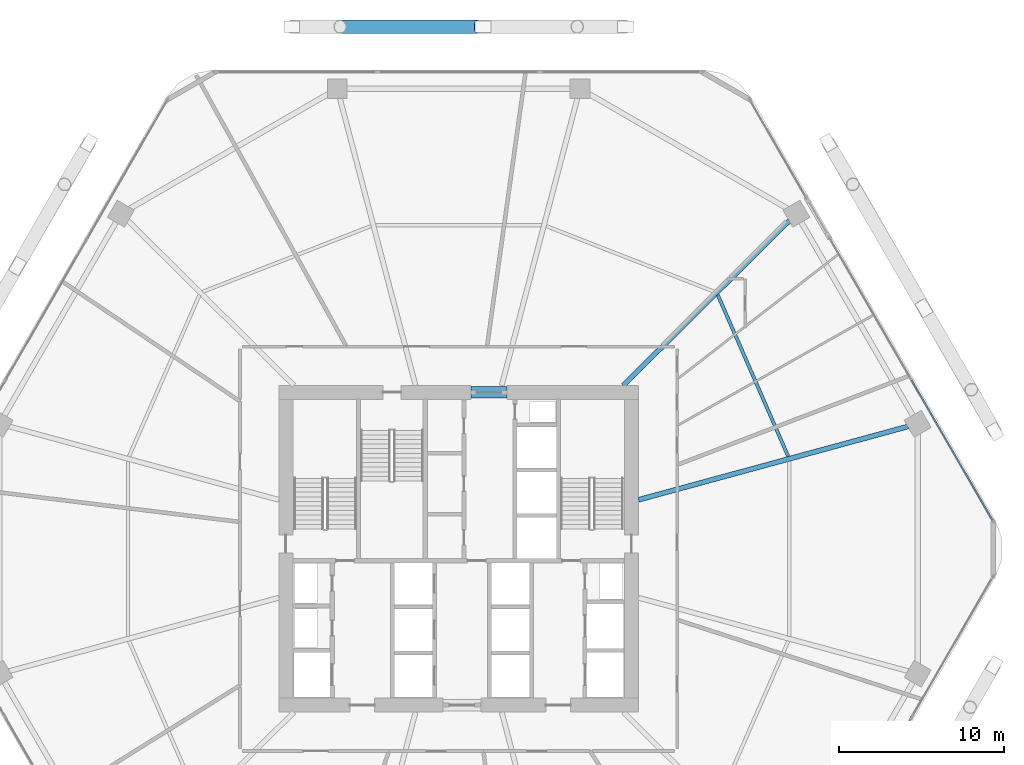
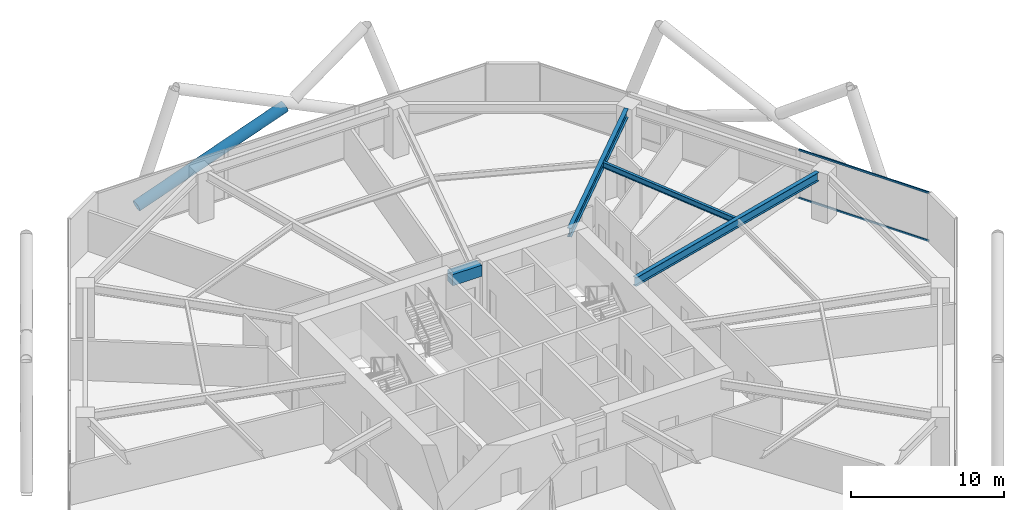
# One storey, part 18 of 28: 4 beams, 3 members, 1 element without a shape of its own.
"""IFC4 building model written with IfcOpenShell, lengths in metres."""

import ifcopenshell
import ifcopenshell.guid

model = None  # the IFC model being written
_history = None  # IfcOwnerHistory: only IFC2X3 demands one
_inside = {}  # id of a spatial element -> (the spatial element, [elements in it])
_under = {}  # id of a project, library or spatial element -> (it, [spatial elements below it])
_declared = {}  # id of a project -> (the project, [libraries it declares])
_typed = {}  # id of a type object -> (the type object, [elements of that type])
_made_of = {}  # id of a material, layer set ... -> (it, [elements and type objects made of it])


def new_model(schema):
    """Start an empty IFC model of exactly this schema.

    Asked for "IFC4X3", IfcOpenShell would pick the latest addendum, in which some entities
    have other attributes; the version numbers below select the first issue.
    IFC2X3 requires an IfcOwnerHistory on every rooted entity: one is made here for all.
    """
    global model, _history
    if schema == "IFC4X3":
        model = ifcopenshell.file(schema_version=(4, 3, 0, 0))
    else:
        model = ifcopenshell.file(schema=schema)
    _inside.clear()
    _under.clear()
    _declared.clear()
    _typed.clear()
    _made_of.clear()
    _history = None
    if model.schema == "IFC2X3":
        org = make("IfcOrganization", Name="unknown")
        user = make(
            "IfcPersonAndOrganization",
            ThePerson=make("IfcPerson", FamilyName="unknown"),
            TheOrganization=org,
        )
        app = make(
            "IfcApplication",
            ApplicationDeveloper=org,
            Version="unknown",
            ApplicationFullName="unknown",
            ApplicationIdentifier="unknown",
        )
        _history = make(
            "IfcOwnerHistory",
            OwningUser=user,
            OwningApplication=app,
            ChangeAction="ADDED",
            CreationDate=0,
        )
    return model


def make(cls, **values):
    """One entity of the class cls with the attributes given. An attribute that is None is left unset."""
    return model.create_entity(
        cls, **{name: value for name, value in values.items() if value is not None}
    )


def rooted(cls, **values):
    """An entity with a GlobalId (a new one), such as an element, a storey or a relation."""
    return make(cls, GlobalId=ifcopenshell.guid.new(), OwnerHistory=_history, **values)


def si_unit(unit_type, name, prefix=None):
    """IfcSIUnit, for example si_unit("LENGTHUNIT", "METRE", prefix="MILLI")."""
    return make("IfcSIUnit", UnitType=unit_type, Prefix=prefix, Name=name)


def assignment(units):
    """IfcUnitAssignment: the units of a project."""
    return None if units is None else make("IfcUnitAssignment", Units=units)


def point(xyz):
    """IfcCartesianPoint."""
    return None if xyz is None else make("IfcCartesianPoint", Coordinates=xyz)


def direction(xyz):
    """IfcDirection."""
    return None if xyz is None else make("IfcDirection", DirectionRatios=xyz)


def frame(location, z_axis=None, x_axis=None):
    """IfcAxis2Placement3D, a coordinate frame: its origin and axes. An axis left out is left unset."""
    return make(
        "IfcAxis2Placement3D",
        Location=point(location),
        Axis=direction(z_axis),
        RefDirection=direction(x_axis),
    )


def frame_2d(location, x_axis=None):
    """IfcAxis2Placement2D, a coordinate frame in the plane: its origin and x axis."""
    return make(
        "IfcAxis2Placement2D", Location=point(location), RefDirection=direction(x_axis)
    )


def origin():
    """The frame at (0, 0, 0) with its axes left unset."""
    return frame((0.0, 0.0, 0.0))


def origin_2d():
    """The frame at (0, 0) in the plane with its x axis left unset."""
    return frame_2d((0.0, 0.0))


def place(relative_to, where):
    """IfcLocalPlacement: puts the frame where relative to a parent placement (None: the world)."""
    return make(
        "IfcLocalPlacement", PlacementRelTo=relative_to, RelativePlacement=where
    )


def context(
    kind, dimensions, precision=None, world=None, true_north=None, identifier=None
):
    """IfcGeometricRepresentationContext, for example the 3D "Model" context."""
    return make(
        "IfcGeometricRepresentationContext",
        ContextIdentifier=identifier,
        ContextType=kind,
        CoordinateSpaceDimension=dimensions,
        Precision=precision,
        WorldCoordinateSystem=world,
        TrueNorth=true_north,
    )


def subcontext(parent, identifier, kind, view, scale=None):
    """IfcGeometricRepresentationSubContext, for example "Body" below "Model"."""
    return make(
        "IfcGeometricRepresentationSubContext",
        ContextIdentifier=identifier,
        ContextType=kind,
        ParentContext=parent,
        TargetScale=scale,
        TargetView=view,
    )


def project(units=None, contexts=None):
    """IfcProject with its units and contexts."""
    return rooted(
        "IfcProject",
        Name="project",
        RepresentationContexts=contexts,
        UnitsInContext=assignment(units),
    )


def spatial(cls, under=None, at=None, **own):
    """A site, building, storey or space (cls), placed at a placement, below another one or the project."""
    s = rooted(cls, ObjectPlacement=at, **own)
    if under is not None:
        _under.setdefault(under.id(), (under, []))[1].append(s)
    return s


def profile(cls, at=None, kind="AREA", **sizes):
    """A parametric profile (cls). Its sizes go by their IFC names, for example OverallWidth=200.0."""
    return make(cls, ProfileType=kind, Position=at, **sizes)


def rectangle(**sizes):
    """IfcRectangleProfileDef."""
    return profile("IfcRectangleProfileDef", **sizes)


def hollow_rectangle(**sizes):
    """IfcRectangleHollowProfileDef."""
    return profile("IfcRectangleHollowProfileDef", **sizes)


def hollow_circle(**sizes):
    """IfcCircleHollowProfileDef."""
    return profile("IfcCircleHollowProfileDef", **sizes)


def i_section(**sizes):
    """IfcIShapeProfileDef."""
    return profile("IfcIShapeProfileDef", **sizes)


def extrude(swept, where, along, depth):
    """IfcExtrudedAreaSolid: the profile swept, set in the frame where, extruded along a direction by depth."""
    return make(
        "IfcExtrudedAreaSolid",
        SweptArea=swept,
        Position=where,
        ExtrudedDirection=direction(along),
        Depth=depth,
    )


def shape(context_of_items, identifier, shape_type, items):
    """IfcShapeRepresentation: the items that make up one representation, for example the "Body"."""
    return make(
        "IfcShapeRepresentation",
        ContextOfItems=context_of_items,
        RepresentationIdentifier=identifier,
        RepresentationType=shape_type,
        Items=items,
    )


def material(Name=None, Category=None):
    """IfcMaterial."""
    return make("IfcMaterial", Name=Name, Category=Category)


def material_profile(
    of_material, cross_section, Name=None, Category=None, Priority=None
):
    """IfcMaterialProfile: a cross section and its material."""
    return make(
        "IfcMaterialProfile",
        Name=Name,
        Material=of_material,
        Profile=cross_section,
        Priority=Priority,
        Category=Category,
    )


def profile_set(profiles, Name=None, composite=None):
    """IfcMaterialProfileSet."""
    return make(
        "IfcMaterialProfileSet",
        Name=Name,
        MaterialProfiles=profiles,
        CompositeProfile=composite,
    )


def made_of(thing, what):
    """Note that an element or type object is made of a material, layer set ...; save() writes the relation."""
    if what is not None:
        _made_of.setdefault(what.id(), (what, []))[1].append(thing)
    return thing


def type_object(cls, material=None, **own):
    """A type object (cls), such as IfcWallType, which elements share."""
    return made_of(rooted(cls, **own), material)


def element(
    cls,
    number,
    at=None,
    inside=None,
    cuts=None,
    type_object=None,
    material=None,
    context=None,
    identifier="Body",
    shape_type=None,
    held_by="IfcProductDefinitionShape",
    body=None,
    shapes=None,
    **own,
):
    """One element of the class cls, such as IfcWall. Its Tag is "e" and its number.

    at: its placement. inside: the storey or other place that contains it. cuts: it is an
    opening in that element (IfcRelVoidsElement). A single representation is given by context,
    identifier, shape_type and body (its items); several are given by shapes. held_by: the class
    of the entity that holds the representations. save() writes the other relations.
    """
    e = rooted(cls, Tag="e%d" % number, ObjectPlacement=at, **own)
    if body is not None:
        shapes = [shape(context, identifier, shape_type, body)]
    if shapes is not None:
        e.Representation = make(held_by, Representations=shapes)
    if inside is not None:
        _inside.setdefault(inside.id(), (inside, []))[1].append(e)
    if cuts is not None:
        rooted(
            "IfcRelVoidsElement", RelatingBuildingElement=cuts, RelatedOpeningElement=e
        )
    if type_object is not None:
        _typed.setdefault(type_object.id(), (type_object, []))[1].append(e)
    return made_of(e, material)


def aggregate(whole, parts):
    """IfcRelAggregates: a whole, such as a stair, and the parts it consists of."""
    return rooted("IfcRelAggregates", RelatingObject=whole, RelatedObjects=parts)


def save(model, path):
    """Write the relations noted so far, then the file.

    IfcRelAggregates (storeys below a building ...), IfcRelContainedInSpatialStructure (elements
    in a storey), IfcRelDefinesByType, IfcRelAssociatesMaterial and IfcRelDeclares: one each for
    every whole, place, type object, material and project.
    """
    for whole, parts in _under.values():
        aggregate(whole, parts)
    for where, things in _inside.values():
        rooted(
            "IfcRelContainedInSpatialStructure",
            RelatedElements=things,
            RelatingStructure=where,
        )
    for kind, things in _typed.values():
        rooted("IfcRelDefinesByType", RelatedObjects=things, RelatingType=kind)
    for what, things in _made_of.values():
        rooted("IfcRelAssociatesMaterial", RelatedObjects=things, RelatingMaterial=what)
    for by, libraries in _declared.values():
        rooted("IfcRelDeclares", RelatingContext=by, RelatedDefinitions=libraries)
    model.write(path)


model = new_model("IFC4")

# Units and contexts
model_context = context("Model", 3, precision=1e-05, world=origin(), true_north=direction((0.0, 1.0)))
body_context = subcontext(model_context, "Body", "Model", "MODEL_VIEW")
ifc_project = project(units=[si_unit("LENGTHUNIT", "METRE"), si_unit("AREAUNIT", "SQUARE_METRE"), si_unit("VOLUMEUNIT", "CUBIC_METRE"), si_unit("PLANEANGLEUNIT", "RADIAN"), si_unit("MASSUNIT", "GRAM", prefix="KILO")], contexts=[model_context])

# Site, building, storey
site_placement = place(None, origin())
site = spatial("IfcSite", under=ifc_project, at=site_placement, CompositionType="ELEMENT")
building_placement = place(site_placement, origin())
building = spatial("IfcBuilding", under=site, at=building_placement, Name="Zuhravey Tower", CompositionType="ELEMENT")
storey_placement = place(building_placement, frame((0.0, 0.0, 24.60009765625)))
storey = spatial("IfcBuildingStorey", under=building, at=storey_placement, Name="L06", CompositionType="ELEMENT", Elevation=24.60009765625)

# Beam
ifc_material_1 = material(Name="Concrete C60/75", Category="concrete")
ifc_material_profile_1 = material_profile(ifc_material_1, rectangle(XDim=0.699951171875, YDim=0.89990234375, at=origin_2d()), Name="RC-700x900")
ifc_profile_set_1 = profile_set([ifc_material_profile_1], Name="Concrete C60/75")
beam_type_1 = type_object("IfcBeamType", Name="Core Coupling Beam RC700x900", PredefinedType="LINTEL", material=ifc_profile_set_1)
beam_1_placement = place(storey_placement, frame((36.751953125, 41.5, 3.469970703125), z_axis=(1.0, 0.0, 0.0), x_axis=(0.0, 1.0, 0.0)))
element("IfcBeam", 1, at=beam_1_placement, inside=storey, type_object=beam_type_1, Name="L06 CB1 BM-L06-CB-N", PredefinedType="LINTEL", context=body_context, shape_type="SweptSolid", body=[
    extrude(rectangle(XDim=0.699951171875, YDim=0.89990234375, at=origin_2d()), origin(), (0.0, 0.0, 1.0), 2.196044921875),
])

# Curtain wall, members
ifc_material_2 = material(Name="Thermally broken anodised aluminium", Category="aluminium")
curtain_wall_type = type_object("IfcCurtainWallType", Name="School Low-E Unitised Curtain Wall CW1", PredefinedType="NOTDEFINED", material=ifc_material_2)
curtain_wall_placement = place(storey_placement, origin())
curtain_wall = element("IfcCurtainWall", 2, at=curtain_wall_placement, inside=storey, type_object=curtain_wall_type, Name="L06 CW1 CW-L06-F1-2", PredefinedType="NOTDEFINED")
ifc_material_3 = material(Name="Anodised aluminium", Category="aluminium")
ifc_material_profile_2 = material_profile(ifc_material_3, hollow_rectangle(XDim=0.090087890625, YDim=0.14990234375, WallThickness=0.0048828125, at=origin_2d()), Name="ALU-RHS-90x150x5")
ifc_profile_set_2 = profile_set([ifc_material_profile_2], Name="Anodised aluminium")
member_type_1 = type_object("IfcMemberType", Name="Curtain-Wall Transom 90x150", PredefinedType="USERDEFINED", material=ifc_profile_set_2)
member_1_placement = place(storey_placement, frame((63.529296875, 42.234619140625, 0.044921875), z_axis=(0.500015484165, -0.866016463813, 0.0), x_axis=(0.866016463813, 0.500015484165, 0.0)))
member_1 = element("IfcMember", 3, at=member_1_placement, type_object=member_type_1, Name="CW1 transom 2.1", ObjectType="TRANSOM", PredefinedType="USERDEFINED", context=body_context, shape_type="SweptSolid", body=[
    extrude(hollow_rectangle(XDim=0.090087890625, YDim=0.14990234375, WallThickness=0.0048828125, at=origin_2d()), origin(), (0.0, 0.0, 1.0), 9.808349609375),
])
member_2_placement = place(storey_placement, frame((63.529296875, 42.234619140625, 3.875), z_axis=(0.500015484165, -0.866016463813, 0.0), x_axis=(0.866016463813, 0.500015484165, 0.0)))
member_2 = element("IfcMember", 4, at=member_2_placement, type_object=member_type_1, Name="CW1 transom 2.2", ObjectType="TRANSOM", PredefinedType="USERDEFINED", context=body_context, shape_type="SweptSolid", body=[
    extrude(hollow_rectangle(XDim=0.090087890625, YDim=0.14990234375, WallThickness=0.0048828125, at=origin_2d()), origin(), (0.0, 0.0, 1.0), 9.808349609375),
])
aggregate(curtain_wall, [member_1, member_2])

# Member
ifc_material_4 = material(Name="Steel SM460", Category="steel")
ifc_material_profile_3 = material_profile(ifc_material_4, hollow_circle(Radius=0.406494140625, WallThickness=0.035888671875, at=origin_2d()), Name="CHS-812.8x36")
ifc_profile_set_3 = profile_set([ifc_material_profile_3], Name="Steel SM460")
member_type_2 = type_object("IfcMemberType", Name="Exoskeleton Zone 1 Diagrid CHS813x36", PredefinedType="BRACE", material=ifc_profile_set_3)
member_3_placement = place(storey_placement, frame((25.91064453125, 63.718505859375, -0.47705078125), z_axis=(0.940339213945, 0.0, 0.34023839101), x_axis=(0.0, 1.0, 0.0)))
element("IfcMember", 5, at=member_3_placement, inside=storey, type_object=member_type_2, Name="L06 Face 2 Split Diagrid Brace 3A", PredefinedType="BRACE", context=body_context, shape_type="SweptSolid", body=[
    extrude(hollow_circle(Radius=0.406494140625, WallThickness=0.035888671875, at=origin_2d()), origin(), (0.0, 0.0, 1.0), 11.897705078125),
])

# Beams
ifc_material_5 = material(Name="Steel SM355", Category="steel")
ifc_material_profile_4 = material_profile(ifc_material_5, i_section(OverallWidth=0.300048828125, OverallDepth=0.699951171875, WebThickness=0.012939453125, FlangeThickness=0.02392578125, at=origin_2d()), Name="H-700x300x13x24")
ifc_profile_set_4 = profile_set([ifc_material_profile_4], Name="Steel SM355")
beam_type_2 = type_object("IfcBeamType", Name="Radial Primary Girder H700x300", PredefinedType="BEAM", material=ifc_profile_set_4)
beam_2_placement = place(storey_placement, frame((46.927978515625, 34.974609375, 3.56982421875), z_axis=(0.964892480455, 0.26264520015, 0.0), x_axis=(-0.26264520015, 0.964892480455, 0.0)))
element("IfcBeam", 6, at=beam_2_placement, inside=storey, type_object=beam_type_2, Name="L06 RG1 BM-L06-RAD-01", PredefinedType="BEAM", context=body_context, shape_type="SweptSolid", body=[
    extrude(i_section(OverallWidth=0.300048828125, OverallDepth=0.699951171875, WebThickness=0.012939453125, FlangeThickness=0.02392578125, at=origin_2d()), origin(), (0.0, 0.0, 1.0), 16.975341796875),
])
beam_3_placement = place(storey_placement, frame((46.007080078125, 41.927978515625, 3.56982421875), z_axis=(0.709902823282, 0.704299639, 0.0), x_axis=(-0.704299639, 0.709902823282, 0.0)))
element("IfcBeam", 7, at=beam_3_placement, inside=storey, type_object=beam_type_2, Name="L06 RG1 BM-L06-RAD-02", PredefinedType="BEAM", context=body_context, shape_type="SweptSolid", body=[
    extrude(i_section(OverallWidth=0.300048828125, OverallDepth=0.699951171875, WebThickness=0.012939453125, FlangeThickness=0.02392578125, at=origin_2d()), origin(), (0.0, 0.0, 1.0), 14.204345703125),
])
ifc_material_profile_5 = material_profile(ifc_material_5, i_section(OverallWidth=0.199951171875, OverallDepth=0.449951171875, WebThickness=0.009033203125, FlangeThickness=0.013916015625, at=origin_2d()), Name="H-450x200x9x14")
ifc_profile_set_5 = profile_set([ifc_material_profile_5], Name="Steel SM355")
beam_type_3 = type_object("IfcBeamType", Name="Secondary Floor Joist H450x200", PredefinedType="JOIST", material=ifc_profile_set_5)
beam_4_placement = place(storey_placement, frame((56.025390625, 37.60888671875, 3.69482421875), z_axis=(-0.399923551578, 0.916548500022, 0.0), x_axis=(-0.916548500022, -0.399923551578, 0.0)))
element("IfcBeam", 8, at=beam_4_placement, inside=storey, type_object=beam_type_3, Name="L06 SJ1 BM-L06-SJ-01-1", PredefinedType="JOIST", context=body_context, shape_type="SweptSolid", body=[
    extrude(i_section(OverallWidth=0.199951171875, OverallDepth=0.449951171875, WebThickness=0.009033203125, FlangeThickness=0.013916015625, at=origin_2d()), origin(), (0.0, 0.0, 1.0), 10.70263671875),
])

save(model, "model.ifc")
